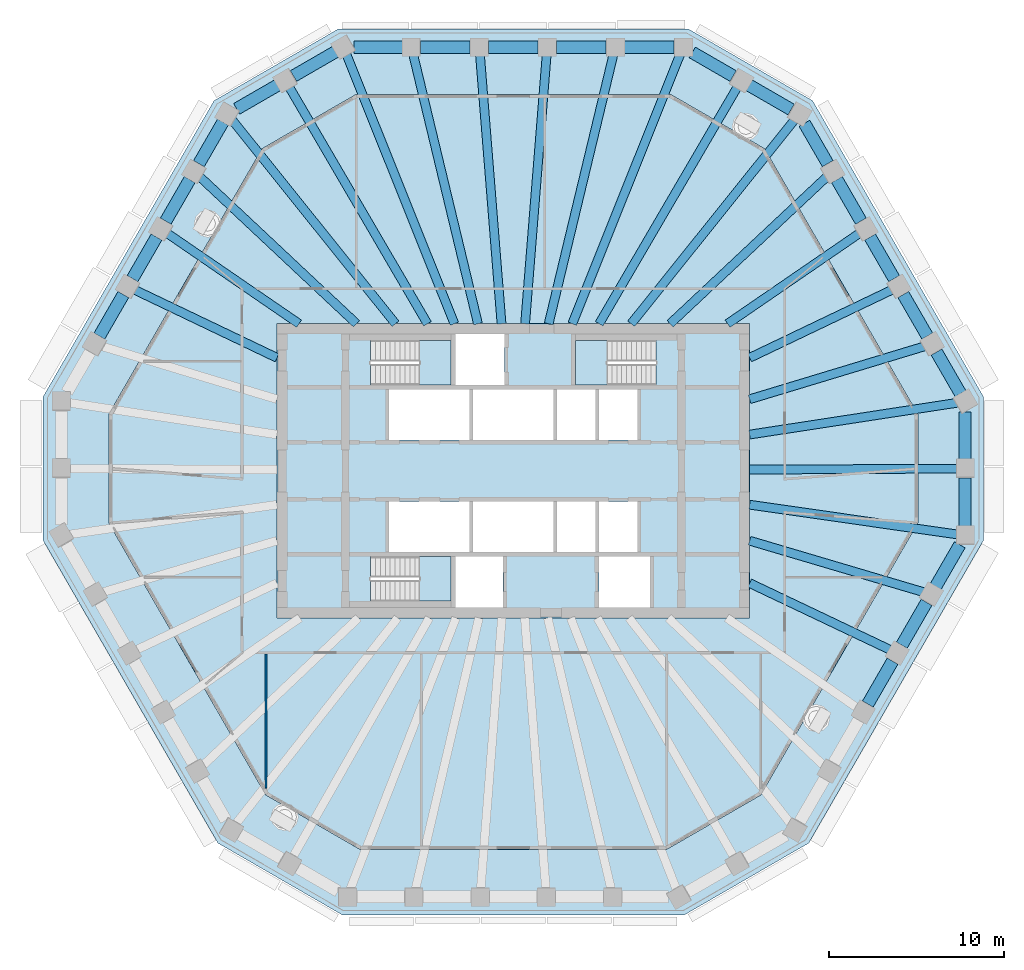
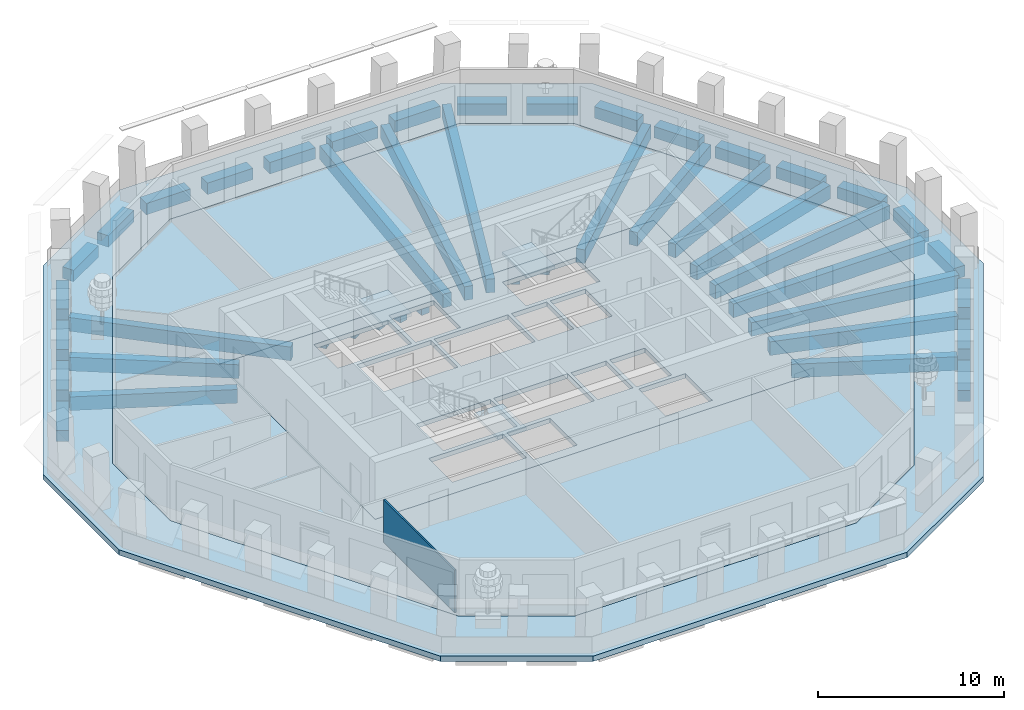
# One storey, part 2 of 12: 45 beams, 6 slabs, 1 wall, 3 elements without a shape of their own.
"""IFC4 building model written with IfcOpenShell, lengths in metres."""

from ifc_helpers import new_model, si_unit, direction, frame, frame_2d, origin, origin_2d, place, context, subcontext, project, spatial, polyline, rectangle, outline, extrude, material, layer, layer_set, material_profile, profile_set, type_object, element, aggregate, save


model = new_model("IFC4")

# Units and contexts
model_context = context("Model", 3, precision=1e-05, world=origin(), true_north=direction((0.0, 1.0)))
body_context = subcontext(model_context, "Body", "Model", "MODEL_VIEW")
ifc_project = project(units=[si_unit("LENGTHUNIT", "METRE"), si_unit("AREAUNIT", "SQUARE_METRE"), si_unit("VOLUMEUNIT", "CUBIC_METRE"), si_unit("PLANEANGLEUNIT", "RADIAN"), si_unit("MASSUNIT", "GRAM", prefix="KILO")], contexts=[model_context])

# Site, building, storey
site_placement = place(None, origin())
site = spatial("IfcSite", under=ifc_project, at=site_placement, CompositionType="ELEMENT")
building_placement = place(site_placement, origin())
building = spatial("IfcBuilding", under=site, at=building_placement, Name="Frailejon Research Tower", CompositionType="ELEMENT")
storey_placement = place(building_placement, frame((0.0, 0.0, 215.39990234375)))
storey = spatial("IfcBuildingStorey", under=building, at=storey_placement, Name="L46", CompositionType="ELEMENT", Elevation=215.39990234375)

# Beams
ifc_material_1 = material(Name="Concrete C60/75", Category="concrete")
ifc_material_profile_1 = material_profile(ifc_material_1, rectangle(XDim=0.5, YDim=0.89990234375, at=origin_2d()), Name="Girder 500x900")
ifc_profile_set_1 = profile_set([ifc_material_profile_1], Name="Concrete C60/75")
beam_type_1 = type_object("IfcBeamType", Name="Girder 500x900", PredefinedType="BEAM", material=ifc_profile_set_1)
beam_1_placement = place(storey_placement, frame((25.430419921875, -3.64697265625, -0.75), z_axis=(-0.989872779117, 0.141957321629, 0.0), x_axis=(-0.141957321629, -0.989872779117, 0.0)))
element("IfcBeam", 1, at=beam_1_placement, inside=storey, type_object=beam_type_1, Name="Girder 500x900", PredefinedType="BEAM", context=body_context, shape_type="SweptSolid", body=[
    extrude(rectangle(XDim=0.5, YDim=0.89990234375, at=origin_2d()), origin(), (0.0, 0.0, 1.0), 12.052490234375),
])
beam_2_placement = place(storey_placement, frame((25.431884765625, 0.123779296875, -0.75), z_axis=(-0.999988242336, -0.00484924628, 0.0), x_axis=(0.00484924628, -0.999988242336, 0.0)))
element("IfcBeam", 2, at=beam_2_placement, inside=storey, type_object=beam_type_1, Name="Girder 500x900", PredefinedType="BEAM", context=body_context, shape_type="SweptSolid", body=[
    extrude(rectangle(XDim=0.5, YDim=0.89990234375, at=origin_2d()), origin(), (0.0, 0.0, 1.0), 11.93212890625),
])
beam_3_placement = place(storey_placement, frame((25.398193359375, 3.889892578125, -0.75), z_axis=(-0.988474175023, -0.151389581253, 0.0), x_axis=(0.151389581253, -0.988474175023, 0.0)))
element("IfcBeam", 3, at=beam_3_placement, inside=storey, type_object=beam_type_1, Name="Girder 500x900", PredefinedType="BEAM", context=body_context, shape_type="SweptSolid", body=[
    extrude(rectangle(XDim=0.5, YDim=0.89990234375, at=origin_2d()), origin(), (0.0, 0.0, 1.0), 12.036865234375),
])
beam_4_placement = place(storey_placement, frame((23.538330078125, 7.123779296875, -0.75), z_axis=(-0.957125759353, -0.289672713218, 0.0), x_axis=(0.289672713218, -0.957125759353, 0.0)))
element("IfcBeam", 4, at=beam_4_placement, inside=storey, type_object=beam_type_1, Name="Girder 500x900", PredefinedType="BEAM", context=body_context, shape_type="SweptSolid", body=[
    extrude(rectangle(XDim=0.5, YDim=0.89990234375, at=origin_2d()), origin(), (0.0, 0.0, 1.0), 10.488037109375),
])
beam_5_placement = place(storey_placement, frame((21.6748046875, 10.3583984375, -0.75), z_axis=(-0.902260953414, -0.431190412631, 0.0), x_axis=(0.431190412631, -0.902260953414, 0.0)))
element("IfcBeam", 5, at=beam_5_placement, inside=storey, type_object=beam_type_1, Name="Girder 500x900", PredefinedType="BEAM", context=body_context, shape_type="SweptSolid", body=[
    extrude(rectangle(XDim=0.5, YDim=0.89990234375, at=origin_2d()), origin(), (0.0, 0.0, 1.0), 9.060302734375),
])
beam_6_placement = place(storey_placement, frame((19.80810546875, 13.591796875, -0.75), z_axis=(-0.824550831875, -0.565787880442, 0.0), x_axis=(0.565787880442, -0.824550831875, 0.0)))
element("IfcBeam", 6, at=beam_6_placement, inside=storey, type_object=beam_type_1, Name="Girder 500x900", PredefinedType="BEAM", context=body_context, shape_type="SweptSolid", body=[
    extrude(rectangle(XDim=0.5, YDim=0.89990234375, at=origin_2d()), origin(), (0.0, 0.0, 1.0), 9.176513671875),
])
beam_7_placement = place(storey_placement, frame((17.938720703125, 16.822998046875, -0.75), z_axis=(-0.729425279557, -0.684060495529, 0.0), x_axis=(0.684060495529, -0.729425279557, 0.0)))
element("IfcBeam", 7, at=beam_7_placement, inside=storey, type_object=beam_type_1, Name="Girder 500x900", PredefinedType="BEAM", context=body_context, shape_type="SweptSolid", body=[
    extrude(rectangle(XDim=0.5, YDim=0.89990234375, at=origin_2d()), origin(), (0.0, 0.0, 1.0), 12.3134765625),
])
beam_8_placement = place(storey_placement, frame((16.088134765625, 20.075927734375, -0.75), z_axis=(-0.62534153594, -0.780351179552, 0.0), x_axis=(0.780351179552, -0.62534153594, 0.0)))
element("IfcBeam", 8, at=beam_8_placement, inside=storey, type_object=beam_type_1, Name="Girder 500x900", PredefinedType="BEAM", context=body_context, shape_type="SweptSolid", body=[
    extrude(rectangle(XDim=0.5, YDim=0.89990234375, at=origin_2d()), origin(), (0.0, 0.0, 1.0), 14.962646484375),
])
beam_9_placement = place(storey_placement, frame((12.8232421875, 21.962890625, -0.75), z_axis=(-0.504213134039, -0.863579246776, 0.0), x_axis=(0.863579246776, -0.504213134039, 0.0)))
element("IfcBeam", 9, at=beam_9_placement, inside=storey, type_object=beam_type_1, Name="Girder 500x900", PredefinedType="BEAM", context=body_context, shape_type="SweptSolid", body=[
    extrude(rectangle(XDim=0.5, YDim=0.89990234375, at=origin_2d()), origin(), (0.0, 0.0, 1.0), 15.70556640625),
])
beam_10_placement = place(storey_placement, frame((9.543701171875, 23.814208984375, -0.75), z_axis=(-0.371988816669, -0.928237211209, 0.0), x_axis=(0.928237211209, -0.371988816669, 0.0)))
element("IfcBeam", 10, at=beam_10_placement, inside=storey, type_object=beam_type_1, Name="Girder 500x900", PredefinedType="BEAM", context=body_context, shape_type="SweptSolid", body=[
    extrude(rectangle(XDim=0.5, YDim=0.89990234375, at=origin_2d()), origin(), (0.0, 0.0, 1.0), 16.60595703125),
])
beam_11_placement = place(storey_placement, frame((5.727783203125, 23.82080078125, -0.75), z_axis=(-0.23378977786, -0.972287169394, 0.0), x_axis=(0.972287169394, -0.23378977786, 0.0)))
element("IfcBeam", 11, at=beam_11_placement, inside=storey, type_object=beam_type_1, Name="Girder 500x900", PredefinedType="BEAM", context=body_context, shape_type="SweptSolid", body=[
    extrude(rectangle(XDim=0.5, YDim=0.89990234375, at=origin_2d()), origin(), (0.0, 0.0, 1.0), 15.8603515625),
])
for number, where, z_axis, x_axis, name in (
    (12, (1.90966796875, 23.824462890625, -0.75), (-0.079896975787, -0.99680312663, 0.0), (0.99680312663, -0.079896975787, 0.0), "Girder 500x900"),
    (13, (-1.90966796875, 23.824462890625, -0.75), (0.079896975787, -0.99680312663, 0.0), (0.99680312663, 0.079896975787, 0.0), "Girder 500x900"),
):
    element("IfcBeam", number, at=place(storey_placement, frame(where, z_axis=z_axis, x_axis=x_axis)), inside=storey, type_object=beam_type_1, Name=name, PredefinedType="BEAM", context=body_context, shape_type="SweptSolid", body=[
        extrude(rectangle(XDim=0.5, YDim=0.89990234375, at=origin_2d()), origin(), (0.0, 0.0, 1.0), 15.47412109375),
    ])
beam_12_placement = place(storey_placement, frame((-5.727783203125, 23.82080078125, -0.75), z_axis=(0.23378977786, -0.972287169394, 0.0), x_axis=(0.972287169394, 0.23378977786, 0.0)))
element("IfcBeam", 14, at=beam_12_placement, inside=storey, type_object=beam_type_1, Name="Girder 500x900", PredefinedType="BEAM", context=body_context, shape_type="SweptSolid", body=[
    extrude(rectangle(XDim=0.5, YDim=0.89990234375, at=origin_2d()), origin(), (0.0, 0.0, 1.0), 15.8603515625),
])
beam_13_placement = place(storey_placement, frame((-9.556884765625, 23.846923828125, -0.75), z_axis=(0.371992606657, -0.928235692372, 0.0), x_axis=(0.928235692372, 0.371992606657, 0.0)))
element("IfcBeam", 15, at=beam_13_placement, inside=storey, type_object=beam_type_1, Name="Girder 500x900", PredefinedType="BEAM", context=body_context, shape_type="SweptSolid", body=[
    extrude(rectangle(XDim=0.5, YDim=0.89990234375, at=origin_2d()), origin(), (0.0, 0.0, 1.0), 16.641357421875),
])
beam_14_placement = place(storey_placement, frame((-12.8232421875, 21.962890625, -0.75), z_axis=(0.504213134039, -0.863579246776, 0.0), x_axis=(0.863579246776, 0.504213134039, 0.0)))
element("IfcBeam", 16, at=beam_14_placement, inside=storey, type_object=beam_type_1, Name="Girder 500x900", PredefinedType="BEAM", context=body_context, shape_type="SweptSolid", body=[
    extrude(rectangle(XDim=0.5, YDim=0.89990234375, at=origin_2d()), origin(), (0.0, 0.0, 1.0), 15.70556640625),
])
beam_15_placement = place(storey_placement, frame((-16.06787109375, 20.05078125, -0.75), z_axis=(0.62533695534, -0.780354850236, 0.0), x_axis=(0.780354850236, 0.62533695534, 0.0)))
element("IfcBeam", 17, at=beam_15_placement, inside=storey, type_object=beam_type_1, Name="Girder 500x900", PredefinedType="BEAM", context=body_context, shape_type="SweptSolid", body=[
    extrude(rectangle(XDim=0.5, YDim=0.89990234375, at=origin_2d()), origin(), (0.0, 0.0, 1.0), 14.93017578125),
])
beam_16_placement = place(storey_placement, frame((-17.938720703125, 16.822998046875, -0.75), z_axis=(0.729425279557, -0.684060495529, 0.0), x_axis=(0.684060495529, 0.729425279557, 0.0)))
element("IfcBeam", 18, at=beam_16_placement, inside=storey, type_object=beam_type_1, Name="Girder 500x900", PredefinedType="BEAM", context=body_context, shape_type="SweptSolid", body=[
    extrude(rectangle(XDim=0.5, YDim=0.89990234375, at=origin_2d()), origin(), (0.0, 0.0, 1.0), 12.3134765625),
])
beam_17_placement = place(storey_placement, frame((-19.80810546875, 13.591796875, -0.75), z_axis=(0.824550831875, -0.565787880442, 0.0), x_axis=(0.565787880442, 0.824550831875, 0.0)))
element("IfcBeam", 19, at=beam_17_placement, inside=storey, type_object=beam_type_1, Name="Girder 500x900", PredefinedType="BEAM", context=body_context, shape_type="SweptSolid", body=[
    extrude(rectangle(XDim=0.5, YDim=0.89990234375, at=origin_2d()), origin(), (0.0, 0.0, 1.0), 9.176513671875),
])
beam_18_placement = place(storey_placement, frame((-21.6748046875, 10.3583984375, -0.75), z_axis=(0.902260953414, -0.431190412631, 0.0), x_axis=(0.431190412631, 0.902260953414, 0.0)))
element("IfcBeam", 20, at=beam_18_placement, inside=storey, type_object=beam_type_1, Name="Girder 500x900", PredefinedType="BEAM", context=body_context, shape_type="SweptSolid", body=[
    extrude(rectangle(XDim=0.5, YDim=0.89990234375, at=origin_2d()), origin(), (0.0, 0.0, 1.0), 9.060302734375),
])
beam_19_placement = place(storey_placement, frame((21.58740234375, -10.258544921875, -0.75), z_axis=(-0.903201936273, 0.42921586913, 0.0), x_axis=(-0.42921586913, -0.903201936273, 0.0)))
element("IfcBeam", 21, at=beam_19_placement, inside=storey, type_object=beam_type_1, Name="Girder 500x900", PredefinedType="BEAM", context=body_context, shape_type="SweptSolid", body=[
    extrude(rectangle(XDim=0.5, YDim=0.89990234375, at=origin_2d()), origin(), (0.0, 0.0, 1.0), 8.9541015625),
])
beam_20_placement = place(storey_placement, frame((23.493408203125, -6.949951171875, -0.75), z_axis=(-0.958921152642, 0.28367273929, 0.0), x_axis=(-0.28367273929, -0.958921152642, 0.0)))
element("IfcBeam", 22, at=beam_20_placement, inside=storey, type_object=beam_type_1, Name="Girder 500x900", PredefinedType="BEAM", context=body_context, shape_type="SweptSolid", body=[
    extrude(rectangle(XDim=0.5, YDim=0.89990234375, at=origin_2d()), origin(), (0.0, 0.0, 1.0), 10.421630859375),
])
ifc_material_2 = material(Name="Concrete C60/75", Category="concrete")
ifc_material_profile_2 = material_profile(ifc_material_2, rectangle(XDim=0.699951171875, YDim=0.75, at=origin_2d()), Name="Spandrel 700x750")
ifc_profile_set_2 = profile_set([ifc_material_profile_2], Name="Concrete C60/75")
beam_type_2 = type_object("IfcBeamType", Name="Spandrel 700x750", PredefinedType="BEAM", material=ifc_profile_set_2)
beam_21_placement = place(storey_placement, frame((25.806884765625, -3.176025390625, -0.724853515625), z_axis=(0.0, 1.0, 0.0), x_axis=(-1.0, 0.0, 0.0)))
element("IfcBeam", 23, at=beam_21_placement, inside=storey, type_object=beam_type_2, Name="Spandrel 700x750", PredefinedType="BEAM", context=body_context, shape_type="SweptSolid", body=[
    extrude(rectangle(XDim=0.699951171875, YDim=0.75, at=origin_2d()), origin(), (0.0, 0.0, 1.0), 2.776611328125),
])
beam_22_placement = place(storey_placement, frame((25.806884765625, 0.650634765625, -0.724853515625), z_axis=(0.0, 1.0, 0.0), x_axis=(-1.0, 0.0, 0.0)))
element("IfcBeam", 24, at=beam_22_placement, inside=storey, type_object=beam_type_2, Name="Spandrel 700x750", PredefinedType="BEAM", context=body_context, shape_type="SweptSolid", body=[
    extrude(rectangle(XDim=0.699951171875, YDim=0.75, at=origin_2d()), origin(), (0.0, 0.0, 1.0), 2.695556640625),
])
beam_23_placement = place(storey_placement, frame((25.54443359375, 4.406982421875, -0.724853515625), z_axis=(-0.499969057507, 0.866043267704, 0.0), x_axis=(-0.866043267704, -0.499969057507, 0.0)))
element("IfcBeam", 25, at=beam_23_placement, inside=storey, type_object=beam_type_2, Name="Spandrel 700x750", PredefinedType="BEAM", context=body_context, shape_type="SweptSolid", body=[
    extrude(rectangle(XDim=0.699951171875, YDim=0.75, at=origin_2d()), origin(), (0.0, 0.0, 1.0), 2.742431640625),
])
beam_24_placement = place(storey_placement, frame((23.6484375, 7.69140625, -0.724853515625), z_axis=(-0.500074377092, 0.865982457891, 0.0), x_axis=(-0.865982457891, -0.500074377092, 0.0)))
element("IfcBeam", 26, at=beam_24_placement, inside=storey, type_object=beam_type_2, Name="Spandrel 700x750", PredefinedType="BEAM", context=body_context, shape_type="SweptSolid", body=[
    extrude(rectangle(XDim=0.699951171875, YDim=0.75, at=origin_2d()), origin(), (0.0, 0.0, 1.0), 2.7421875),
])
beam_25_placement = place(storey_placement, frame((21.752197265625, 10.9755859375, -0.724853515625), z_axis=(-0.500046162864, 0.865998750002, 0.0), x_axis=(-0.865998750002, -0.500046162864, 0.0)))
element("IfcBeam", 27, at=beam_25_placement, inside=storey, type_object=beam_type_2, Name="Spandrel 700x750", PredefinedType="BEAM", context=body_context, shape_type="SweptSolid", body=[
    extrude(rectangle(XDim=0.699951171875, YDim=0.75, at=origin_2d()), origin(), (0.0, 0.0, 1.0), 2.741943359375),
])
beam_26_placement = place(storey_placement, frame((19.856201171875, 14.259521484375, -0.724853515625), z_axis=(-0.499969057507, 0.866043267704, 0.0), x_axis=(-0.866043267704, -0.499969057507, 0.0)))
element("IfcBeam", 28, at=beam_26_placement, inside=storey, type_object=beam_type_2, Name="Spandrel 700x750", PredefinedType="BEAM", context=body_context, shape_type="SweptSolid", body=[
    extrude(rectangle(XDim=0.699951171875, YDim=0.75, at=origin_2d()), origin(), (0.0, 0.0, 1.0), 2.742431640625),
])
beam_27_placement = place(storey_placement, frame((17.9599609375, 17.543701171875, -0.724853515625), z_axis=(-0.499987164874, 0.866032814021, 0.0), x_axis=(-0.866032814021, -0.499987164874, 0.0)))
element("IfcBeam", 29, at=beam_27_placement, inside=storey, type_object=beam_type_2, Name="Spandrel 700x750", PredefinedType="BEAM", context=body_context, shape_type="SweptSolid", body=[
    extrude(rectangle(XDim=0.699951171875, YDim=0.75, at=origin_2d()), origin(), (0.0, 0.0, 1.0), 2.6611328125),
])
beam_28_placement = place(storey_placement, frame((15.87158203125, 20.6357421875, -0.724853515625), z_axis=(-0.865999619105, 0.500044657716, 0.0), x_axis=(-0.500044657716, -0.865999619105, 0.0)))
element("IfcBeam", 30, at=beam_28_placement, inside=storey, type_object=beam_type_2, Name="Spandrel 700x750", PredefinedType="BEAM", context=body_context, shape_type="SweptSolid", body=[
    extrude(rectangle(XDim=0.699951171875, YDim=0.75, at=origin_2d()), origin(), (0.0, 0.0, 1.0), 2.776611328125),
])
beam_29_placement = place(storey_placement, frame((12.5576171875, 22.549072265625, -0.724853515625), z_axis=(-0.86598798235, 0.500064810224, 0.0), x_axis=(-0.500064810224, -0.86598798235, 0.0)))
element("IfcBeam", 31, at=beam_29_placement, inside=storey, type_object=beam_type_2, Name="Spandrel 700x750", PredefinedType="BEAM", context=body_context, shape_type="SweptSolid", body=[
    extrude(rectangle(XDim=0.699951171875, YDim=0.75, at=origin_2d()), origin(), (0.0, 0.0, 1.0), 2.695556640625),
])
for number, where, z_axis, x_axis, name in (
    (32, (9.17333984375, 24.199951171875, -0.724853515625), (-1.0, 0.0, 0.0), (0.0, -1.0, 0.0), "Spandrel 700x750"),
    (33, (5.2939453125, 24.199951171875, -0.724853515625), (-1.0, 0.0, 0.0), (0.0, -1.0, 0.0), "Spandrel 700x750"),
):
    element("IfcBeam", number, at=place(storey_placement, frame(where, z_axis=z_axis, x_axis=x_axis)), inside=storey, type_object=beam_type_2, Name=name, PredefinedType="BEAM", context=body_context, shape_type="SweptSolid", body=[
        extrude(rectangle(XDim=0.699951171875, YDim=0.75, at=origin_2d()), origin(), (0.0, 0.0, 1.0), 2.829345703125),
    ])
beam_30_placement = place(storey_placement, frame((1.414794921875, 24.199951171875, -0.724853515625), z_axis=(-1.0, 0.0, 0.0), x_axis=(0.0, -1.0, 0.0)))
element("IfcBeam", 34, at=beam_30_placement, inside=storey, type_object=beam_type_2, Name="Spandrel 700x750", PredefinedType="BEAM", context=body_context, shape_type="SweptSolid", body=[
    extrude(rectangle(XDim=0.699951171875, YDim=0.75, at=origin_2d()), origin(), (0.0, 0.0, 1.0), 2.82958984375),
])
beam_31_placement = place(storey_placement, frame((-2.464599609375, 24.199951171875, -0.724853515625), z_axis=(-1.0, 0.0, 0.0), x_axis=(0.0, -1.0, 0.0)))
element("IfcBeam", 35, at=beam_31_placement, inside=storey, type_object=beam_type_2, Name="Spandrel 700x750", PredefinedType="BEAM", context=body_context, shape_type="SweptSolid", body=[
    extrude(rectangle(XDim=0.699951171875, YDim=0.75, at=origin_2d()), origin(), (0.0, 0.0, 1.0), 2.829345703125),
])
beam_32_placement = place(storey_placement, frame((-6.343994140625, 24.199951171875, -0.724853515625), z_axis=(-1.0, 0.0, 0.0), x_axis=(0.0, -1.0, 0.0)))
element("IfcBeam", 36, at=beam_32_placement, inside=storey, type_object=beam_type_2, Name="Spandrel 700x750", PredefinedType="BEAM", context=body_context, shape_type="SweptSolid", body=[
    extrude(rectangle(XDim=0.699951171875, YDim=0.75, at=origin_2d()), origin(), (0.0, 0.0, 1.0), 2.748046875),
])
beam_33_placement = place(storey_placement, frame((-10.153076171875, 23.9375, -0.724853515625), z_axis=(-0.865999619105, -0.500044657716, 0.0), x_axis=(0.500044657716, -0.865999619105, 0.0)))
element("IfcBeam", 37, at=beam_33_placement, inside=storey, type_object=beam_type_2, Name="Spandrel 700x750", PredefinedType="BEAM", context=body_context, shape_type="SweptSolid", body=[
    extrude(rectangle(XDim=0.699951171875, YDim=0.75, at=origin_2d()), origin(), (0.0, 0.0, 1.0), 2.776611328125),
])
beam_34_placement = place(storey_placement, frame((-13.467041015625, 22.024169921875, -0.724853515625), z_axis=(-0.866049846835, -0.499957661005, 0.0), x_axis=(0.499957661005, -0.866049846835, 0.0)))
element("IfcBeam", 38, at=beam_34_placement, inside=storey, type_object=beam_type_2, Name="Spandrel 700x750", PredefinedType="BEAM", context=body_context, shape_type="SweptSolid", body=[
    extrude(rectangle(XDim=0.699951171875, YDim=0.75, at=origin_2d()), origin(), (0.0, 0.0, 1.0), 2.695556640625),
])
for number, where, z_axis, x_axis, name in (
    (39, (-16.5888671875, 19.918701171875, -0.724853515625), (-0.499969057507, -0.866043267704, 0.0), (0.866043267704, -0.499969057507, 0.0), "Spandrel 700x750"),
    (40, (-18.485107421875, 16.634521484375, -0.724853515625), (-0.499969057507, -0.866043267704, 0.0), (0.866043267704, -0.499969057507, 0.0), "Spandrel 700x750"),
):
    element("IfcBeam", number, at=place(storey_placement, frame(where, z_axis=z_axis, x_axis=x_axis)), inside=storey, type_object=beam_type_2, Name=name, PredefinedType="BEAM", context=body_context, shape_type="SweptSolid", body=[
        extrude(rectangle(XDim=0.699951171875, YDim=0.75, at=origin_2d()), origin(), (0.0, 0.0, 1.0), 2.742431640625),
    ])
beam_35_placement = place(storey_placement, frame((-20.381103515625, 13.35009765625, -0.724853515625), z_axis=(-0.500046162864, -0.865998750002, 0.0), x_axis=(0.865998750002, -0.500046162864, 0.0)))
element("IfcBeam", 41, at=beam_35_placement, inside=storey, type_object=beam_type_2, Name="Spandrel 700x750", PredefinedType="BEAM", context=body_context, shape_type="SweptSolid", body=[
    extrude(rectangle(XDim=0.699951171875, YDim=0.75, at=origin_2d()), origin(), (0.0, 0.0, 1.0), 2.741943359375),
])
beam_36_placement = place(storey_placement, frame((-22.277099609375, 10.066162109375, -0.724853515625), z_axis=(-0.500074377092, -0.865982457891, 0.0), x_axis=(0.865982457891, -0.500074377092, 0.0)))
element("IfcBeam", 42, at=beam_36_placement, inside=storey, type_object=beam_type_2, Name="Spandrel 700x750", PredefinedType="BEAM", context=body_context, shape_type="SweptSolid", body=[
    extrude(rectangle(XDim=0.699951171875, YDim=0.75, at=origin_2d()), origin(), (0.0, 0.0, 1.0), 2.7421875),
])
for number, where, z_axis, x_axis, name in (
    (43, (20.25048828125, -13.3251953125, -0.724853515625), (0.499981405807, 0.866036138881, 0.0), (-0.866036138881, 0.499981405807, 0.0), "Spandrel 700x750"),
    (44, (22.190185546875, -9.965576171875, -0.724853515625), (0.499981405807, 0.866036138881, 0.0), (-0.866036138881, 0.499981405807, 0.0), "Spandrel 700x750"),
):
    element("IfcBeam", number, at=place(storey_placement, frame(where, z_axis=z_axis, x_axis=x_axis)), inside=storey, type_object=beam_type_2, Name=name, PredefinedType="BEAM", context=body_context, shape_type="SweptSolid", body=[
        extrude(rectangle(XDim=0.699951171875, YDim=0.75, at=origin_2d()), origin(), (0.0, 0.0, 1.0), 2.8291015625),
    ])
beam_37_placement = place(storey_placement, frame((24.1298828125, -6.60595703125, -0.724853515625), z_axis=(0.499999305434, 0.866025804792, 0.0), x_axis=(-0.866025804792, 0.499999305434, 0.0)))
element("IfcBeam", 45, at=beam_37_placement, inside=storey, type_object=beam_type_2, Name="Spandrel 700x750", PredefinedType="BEAM", context=body_context, shape_type="SweptSolid", body=[
    extrude(rectangle(XDim=0.699951171875, YDim=0.75, at=origin_2d()), origin(), (0.0, 0.0, 1.0), 2.748046875),
])

# Slabs
ifc_material_3 = material(Name="Concrete C60/75", Category="concrete")
ifc_layer_1 = layer(ifc_material_3, 0.300048828125)
ifc_layer_set_1 = layer_set([ifc_layer_1], Name="Core floor slab 300 C60/75")
slab_type_1 = type_object("IfcSlabType", Name="Core floor slab 300 C60/75", PredefinedType="FLOOR", material=ifc_layer_set_1)
slab_1_placement = place(storey_placement, frame((0.0, 0.0, -0.2998046875)))
element("IfcSlab", 46, at=slab_1_placement, inside=storey, type_object=slab_type_1, Name="Core floor slab", PredefinedType="FLOOR", context=body_context, shape_type="SweptSolid", body=[
    extrude(outline(polyline([(13.5, -8.39990234375), (13.5, 8.39990234375), (-13.5, 8.39990234375), (-13.5, -8.39990234375), (13.5, -8.39990234375)]), holes=[polyline([(-2.5, 1.75), (-2.5, 4.64990234375), (-7.10009765625, 4.64990234375), (-7.10009765625, 1.75), (-2.5, 1.75)]), polyline([(2.300048828125, 1.75), (2.300048828125, 4.64990234375), (-2.300048828125, 4.64990234375), (-2.300048828125, 1.75), (2.300048828125, 1.75)]), polyline([(4.699951171875, 1.75), (4.699951171875, 4.64990234375), (2.5, 4.64990234375), (2.5, 1.75), (4.699951171875, 1.75)]), polyline([(7.10009765625, 1.75), (7.10009765625, 4.64990234375), (4.89990234375, 4.64990234375), (4.89990234375, 1.75), (7.10009765625, 1.75)]), polyline([(-2.5, -4.64990234375), (-2.5, -1.75), (-7.10009765625, -1.75), (-7.10009765625, -4.64990234375), (-2.5, -4.64990234375)]), polyline([(2.300048828125, -4.64990234375), (2.300048828125, -1.75), (-2.300048828125, -1.75), (-2.300048828125, -4.64990234375), (2.300048828125, -4.64990234375)]), polyline([(4.699951171875, -4.64990234375), (4.699951171875, -1.75), (2.5, -1.75), (2.5, -4.64990234375), (4.699951171875, -4.64990234375)]), polyline([(7.10009765625, -4.64990234375), (7.10009765625, -1.75), (4.89990234375, -1.75), (4.89990234375, -4.64990234375), (7.10009765625, -4.64990234375)]), polyline([(-8.14697265625, 4.89990234375), (-3.550048828125, 4.89990234375), (-3.550048828125, 7.449951171875), (-8.14697265625, 7.449951171875), (-8.14697265625, 4.89990234375)]), polyline([(-8.14697265625, -7.449951171875), (-3.550048828125, -7.449951171875), (-3.550048828125, -4.89990234375), (-8.14697265625, -4.89990234375), (-8.14697265625, -7.449951171875)]), polyline([(8.14697265625, 7.449951171875), (3.550048828125, 7.449951171875), (3.550048828125, 4.89990234375), (8.14697265625, 4.89990234375), (8.14697265625, 7.449951171875)]), polyline([(-0.60009765625, -7.800048828125), (-0.60009765625, -4.89990234375), (-3.300048828125, -4.89990234375), (-3.300048828125, -7.800048828125), (-0.60009765625, -7.800048828125)]), polyline([(7.800048828125, -7.800048828125), (7.800048828125, -4.89990234375), (4.89990234375, -4.89990234375), (4.89990234375, -7.800048828125), (7.800048828125, -7.800048828125)]), polyline([(-0.5, 4.89990234375), (-0.5, 7.800048828125), (-3.300048828125, 7.800048828125), (-3.300048828125, 4.89990234375), (-0.5, 4.89990234375)])]), origin(), (0.0, 0.0, 1.0), 0.2998046875),
])
ifc_material_4 = material(Name="Concrete C40/50", Category="concrete")
ifc_layer_2 = layer(ifc_material_4, 0.35009765625)
ifc_layer_set_2 = layer_set([ifc_layer_2], Name="Loggia slab 350")
slab_type_2 = type_object("IfcSlabType", Name="Loggia slab 350", PredefinedType="USERDEFINED", material=ifc_layer_set_2)
slab_2_placement = place(storey_placement, frame((0.0, 0.0, -0.349853515625)))
element("IfcSlab", 47, at=slab_2_placement, inside=storey, type_object=slab_type_2, Name="Loggia slab L46", ObjectType="LOGGIA", PredefinedType="USERDEFINED", context=body_context, shape_type="SweptSolid", body=[
    extrude(outline(polyline([(16.877197265625, -21.267578125), (9.761962890625, -25.375732421875), (-9.761962890625, -25.375732421875), (-16.877197265625, -21.267578125), (-26.85693359375, -3.982421875), (-26.85693359375, 4.23388671875), (-17.094970703125, 21.141845703125), (-9.979736328125, 25.25), (9.979736328125, 25.25), (17.094970703125, 21.141845703125), (26.85693359375, 4.23388671875), (26.85693359375, -3.982421875), (16.877197265625, -21.267578125)]), holes=[polyline([(23.10693359375, 3.22900390625), (14.349853515625, 18.396728515625), (8.974853515625, 21.5), (-8.974853515625, 21.5), (-14.349853515625, 18.396728515625), (-23.10693359375, 3.22900390625), (-23.10693359375, -2.9775390625), (-14.132080078125, -18.5224609375), (-8.757080078125, -21.625732421875), (8.757080078125, -21.625732421875), (14.132080078125, -18.5224609375), (23.10693359375, -2.9775390625), (23.10693359375, 3.22900390625)])]), origin(), (0.0, 0.0, 1.0), 0.349853515625),
])
ifc_material_5 = material(Name="Concrete C40/50", Category="concrete")
ifc_layer_3 = layer(ifc_material_5, 0.300048828125)
ifc_layer_set_3 = layer_set([ifc_layer_3], Name="Slab typical 300")
slab_type_3 = type_object("IfcSlabType", Name="Slab typical 300", PredefinedType="FLOOR", material=ifc_layer_set_3)
slab_3_placement = place(storey_placement, frame((0.0, 0.0, -0.2998046875)))
element("IfcSlab", 48, at=slab_3_placement, inside=storey, type_object=slab_type_3, Name="Floor slab L46", PredefinedType="FLOOR", context=body_context, shape_type="SweptSolid", body=[
    extrude(outline(polyline([(23.10693359375, -2.9775390625), (23.10693359375, 3.22900390625), (14.349853515625, 18.396728515625), (8.974853515625, 21.5), (-8.974853515625, 21.5), (-14.349853515625, 18.396728515625), (-23.10693359375, 3.22900390625), (-23.10693359375, -2.9775390625), (-14.132080078125, -18.5224609375), (-8.757080078125, -21.625732421875), (8.757080078125, -21.625732421875), (14.132080078125, -18.5224609375), (23.10693359375, -2.9775390625)]), holes=[polyline([(13.5, -8.39990234375), (-13.5, -8.39990234375), (-13.5, 8.39990234375), (13.5, 8.39990234375), (13.5, -8.39990234375)])]), origin(), (0.0, 0.0, 1.0), 0.2998046875),
])

# Stair, slab
ifc_material_6 = material(Name="Concrete C50/60", Category="concrete")
stair_type = type_object("IfcStairType", Name="Exit stair 22 risers", PredefinedType="HALF_TURN_STAIR", material=ifc_material_6)
stair_1_placement = place(storey_placement, origin())
stair_1 = element("IfcStair", 49, at=stair_1_placement, inside=storey, type_object=stair_type, Name="L46 Exit stair ST1", PredefinedType="HALF_TURN_STAIR")
ifc_material_7 = material(Name="Concrete C50/60", Category="concrete")
ifc_layer_4 = layer(ifc_material_7, 0.199951171875)
ifc_layer_set_4 = layer_set([ifc_layer_4], Name="Stair landing slab 200")
slab_type_4 = type_object("IfcSlabType", Name="Stair landing slab 200", PredefinedType="LANDING", material=ifc_layer_set_4)
slab_4_placement = place(storey_placement, frame((0.0, 0.0, 1.800048828125)))
slab_4 = element("IfcSlab", 50, at=slab_4_placement, type_object=slab_type_4, Name="ST1 landing 1", PredefinedType="LANDING", context=body_context, shape_type="SweptSolid", body=[
    extrude(outline(polyline([(-5.35009765625, 4.89990234375), (-3.550048828125, 4.89990234375), (-3.550048828125, 7.449951171875), (-5.35009765625, 7.449951171875), (-5.35009765625, 4.89990234375)])), origin(), (0.0, 0.0, 1.0), 0.199951171875),
])
aggregate(stair_1, [slab_4])

stair_2_placement = place(storey_placement, origin())
stair_2 = element("IfcStair", 51, at=stair_2_placement, inside=storey, type_object=stair_type, Name="L46 Exit stair ST2", PredefinedType="HALF_TURN_STAIR")
slab_5_placement = place(storey_placement, frame((0.0, 0.0, 1.800048828125)))
slab_5 = element("IfcSlab", 52, at=slab_5_placement, type_object=slab_type_4, Name="ST2 landing 1", PredefinedType="LANDING", context=body_context, shape_type="SweptSolid", body=[
    extrude(outline(polyline([(-5.35009765625, -7.449951171875), (-3.550048828125, -7.449951171875), (-3.550048828125, -4.89990234375), (-5.35009765625, -4.89990234375), (-5.35009765625, -7.449951171875)])), origin(), (0.0, 0.0, 1.0), 0.199951171875),
])
aggregate(stair_2, [slab_5])

stair_3_placement = place(storey_placement, origin())
stair_3 = element("IfcStair", 53, at=stair_3_placement, inside=storey, type_object=stair_type, Name="L46 Exit stair ST3", PredefinedType="HALF_TURN_STAIR")
slab_6_placement = place(storey_placement, frame((0.0, 0.0, 1.800048828125)))
slab_6 = element("IfcSlab", 54, at=slab_6_placement, type_object=slab_type_4, Name="ST3 landing 1", PredefinedType="LANDING", context=body_context, shape_type="SweptSolid", body=[
    extrude(outline(polyline([(5.35009765625, 7.449951171875), (3.550048828125, 7.449951171875), (3.550048828125, 4.89990234375), (5.35009765625, 4.89990234375), (5.35009765625, 7.449951171875)])), origin(), (0.0, 0.0, 1.0), 0.199951171875),
])
aggregate(stair_3, [slab_6])

# Wall
ifc_material_8 = material(Name="Gypsum board and masonry partition", Category="masonry")
ifc_layer_5 = layer(ifc_material_8, 0.10009765625)
ifc_layer_set_5 = layer_set([ifc_layer_5], Name="Partition, gypsum on steel studs 100")
wall_type = type_object("IfcWallType", Name="Partition, gypsum on steel studs 100", PredefinedType="PARTITIONING", material=ifc_layer_set_5)
wall_placement = place(storey_placement, frame((-14.132080078125, -18.122314453125, 0.0), z_axis=(0.0, 0.0, 1.0), x_axis=(0.0, 1.0, 0.0)))
element("IfcWall", 55, at=wall_placement, inside=storey, type_object=wall_type, Name="T:IW:L46:021", PredefinedType="PARTITIONING", context=body_context, shape_type="SweptSolid", body=[
    extrude(rectangle(XDim=7.647216796875, YDim=0.10009765625, at=frame_2d((3.82373046875, 0.0))), origin(), (0.0, 0.0, 1.0), 2.800048828125),
])

save(model, "model.ifc")
